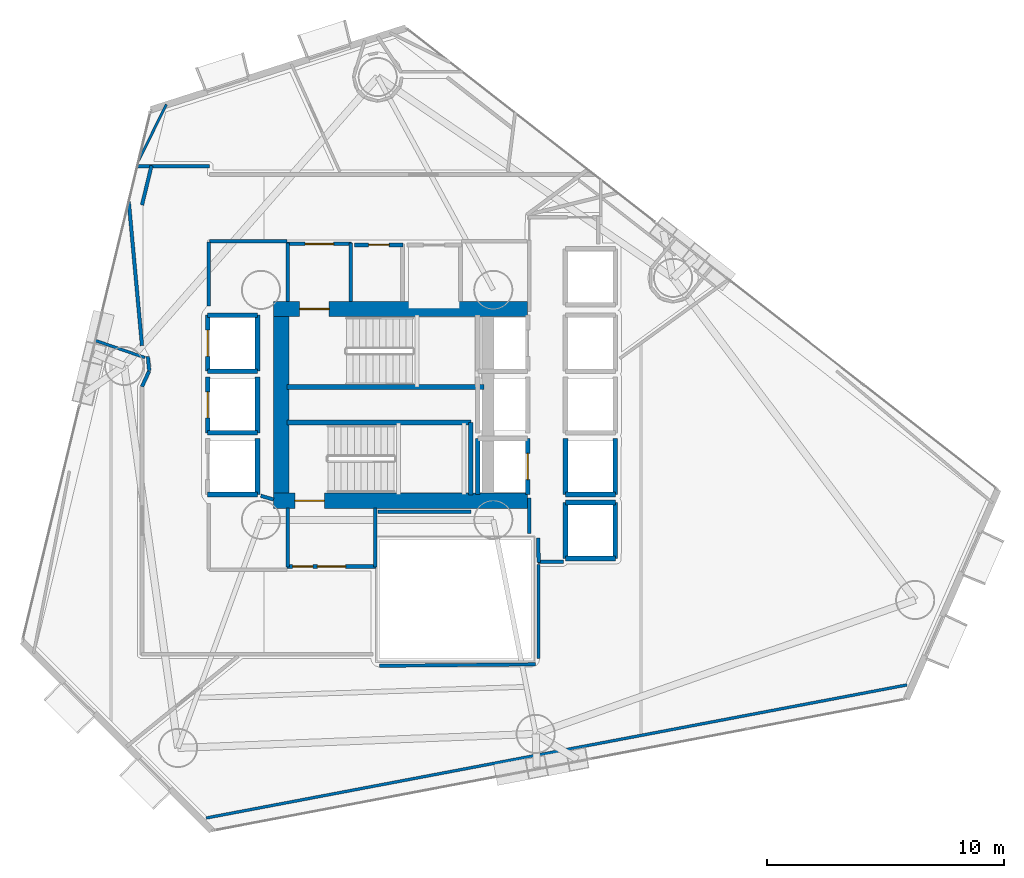
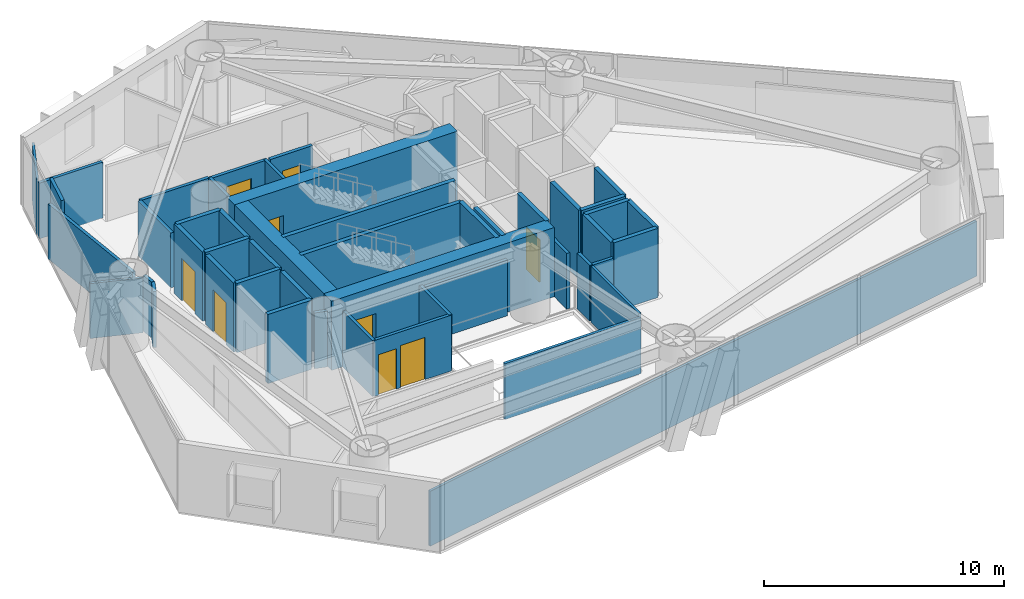
# One storey, part 17 of 23: 48 walls, 9 doors, 9 openings.
"""IFC4 building model written with IfcOpenShell, lengths in metres."""

from ifc_helpers import new_model, si_unit, direction, frame, frame_2d, origin, place, context, subcontext, project, spatial, rectangle, extrude, material, layer, layer_set, type_object, element, fill, save


model = new_model("IFC4")

# Units and contexts
model_context = context("Model", 3, precision=1e-05, world=origin(), true_north=direction((0.0, 1.0)))
body_context = subcontext(model_context, "Body", "Model", "MODEL_VIEW")
ifc_project = project(units=[si_unit("LENGTHUNIT", "METRE"), si_unit("AREAUNIT", "SQUARE_METRE"), si_unit("VOLUMEUNIT", "CUBIC_METRE"), si_unit("PLANEANGLEUNIT", "RADIAN"), si_unit("MASSUNIT", "GRAM", prefix="KILO")], contexts=[model_context])

# Site, building, storey
site_placement = place(None, origin())
site = spatial("IfcSite", under=ifc_project, at=site_placement, CompositionType="ELEMENT")
building_placement = place(site_placement, origin())
building = spatial("IfcBuilding", under=site, at=building_placement, Name="Qianvela Tower", CompositionType="ELEMENT")
storey_placement = place(building_placement, frame((0.0, 0.0, 85.800048828125)))
storey = spatial("IfcBuildingStorey", under=building, at=storey_placement, Name="L21", CompositionType="ELEMENT", Elevation=85.800048828125)

# Wall, opening, door
ifc_material_1 = material(Name="Concrete C60", Category="concrete")
ifc_layer_1 = layer(ifc_material_1, 0.64990234375)
ifc_layer_set_1 = layer_set([ifc_layer_1], Name="Concrete C60")
wall_type_1 = type_object("IfcWallType", Name="WT-CORE-650", PredefinedType="SHEAR", material=ifc_layer_set_1)
wall_1_placement = place(storey_placement, frame((29.1298828125, 32.7451171875, 0.0), z_axis=(0.0, 0.0, 1.0), x_axis=(1.0, 0.0, 0.0)))
wall_1 = element("IfcWall", 1, at=wall_1_placement, inside=storey, type_object=wall_type_1, Name="L21 North Core Shear Wall", PredefinedType="SHEAR", context=body_context, shape_type="SweptSolid", body=[
    extrude(rectangle(XDim=10.72021484375, YDim=0.64990234375, at=frame_2d((5.360107421875, 0.0))), origin(), (0.0, 0.0, 1.0), 3.52001953125),
])
opening_1_placement = place(wall_1_placement, frame((1.094970703125, 0.0, 0.0)))
opening_1 = element("IfcOpeningElement", 2, at=opening_1_placement, cuts=wall_1, Name="Opening D-ST1", PredefinedType="OPENING", context=body_context, shape_type="SweptSolid", body=[
    extrude(rectangle(XDim=1.25, YDim=2.14990234375, at=frame_2d((0.625, 1.074951171875))), frame((0.0, 0.3349609375, 0.0), z_axis=(0.0, -1.0, 0.0), x_axis=(1.0, 0.0, 0.0)), (0.0, 0.0, 1.0), 0.669921875),
])
ifc_material_2 = material(Name="Galvanised Fire Steel Q355B", Category="steel")
door_type_1 = type_object("IfcDoorType", Name="DT-STAIR-FD90", OperationType="NOTDEFINED", PredefinedType="DOOR", material=ifc_material_2)
door_1_placement = place(opening_1_placement, origin())
door_1 = element("IfcDoor", 3, at=door_1_placement, inside=storey, type_object=door_type_1, Name="L21 Stair ST-1 Exit Door", OperationType="SINGLE_SWING_RIGHT", OverallHeight=2.14990234375, OverallWidth=1.25, PredefinedType="DOOR", context=body_context, shape_type="SweptSolid", body=[
    extrude(rectangle(XDim=1.25, YDim=2.14990234375, at=frame_2d((0.625, 1.074951171875))), frame((0.0, 0.02490234375, 0.0), z_axis=(0.0, -1.0, 0.0), x_axis=(1.0, 0.0, 0.0)), (0.0, 0.0, 1.0), 0.050048828125),
])
fill(opening_1, door_1)

wall_2_placement = place(storey_placement, frame((29.1298828125, 24.655029296875, 0.0), z_axis=(0.0, 0.0, 1.0), x_axis=(1.0, 0.0, 0.0)))
wall_2 = element("IfcWall", 4, at=wall_2_placement, inside=storey, type_object=wall_type_1, Name="L21 South Core Shear Wall", PredefinedType="SHEAR", context=body_context, shape_type="SweptSolid", body=[
    extrude(rectangle(XDim=10.72021484375, YDim=0.64990234375, at=frame_2d((5.360107421875, 0.0))), origin(), (0.0, 0.0, 1.0), 3.52001953125),
])
opening_2_placement = place(wall_2_placement, frame((0.89501953125, 0.0, 0.0)))
opening_2 = element("IfcOpeningElement", 5, at=opening_2_placement, cuts=wall_2, Name="Opening D-ST1", PredefinedType="OPENING", context=body_context, shape_type="SweptSolid", body=[
    extrude(rectangle(XDim=1.25, YDim=2.14990234375, at=frame_2d((0.625, 1.074951171875))), frame((0.0, 0.3349609375, 0.0), z_axis=(0.0, -1.0, 0.0), x_axis=(1.0, 0.0, 0.0)), (0.0, 0.0, 1.0), 0.669921875),
])
door_2_placement = place(opening_2_placement, origin())
door_2 = element("IfcDoor", 6, at=door_2_placement, inside=storey, type_object=door_type_1, Name="L21 Stair ST-2 Exit Door", OperationType="SINGLE_SWING_LEFT", OverallHeight=2.14990234375, OverallWidth=1.25, PredefinedType="DOOR", context=body_context, shape_type="SweptSolid", body=[
    extrude(rectangle(XDim=1.25, YDim=2.14990234375, at=frame_2d((0.625, 1.074951171875))), frame((0.0, 0.02490234375, 0.0), z_axis=(0.0, -1.0, 0.0), x_axis=(1.0, 0.0, 0.0)), (0.0, 0.0, 1.0), 0.050048828125),
])
fill(opening_2, door_2)

# Walls
wall_3_placement = place(storey_placement, frame((29.455078125, 24.97998046875, 0.0), z_axis=(0.0, 0.0, 1.0), x_axis=(0.0, 1.0, 0.0)))
element("IfcWall", 7, at=wall_3_placement, inside=storey, type_object=wall_type_1, Name="L21 West Core Shear Wall", PredefinedType="SHEAR", context=body_context, shape_type="SweptSolid", body=[
    extrude(rectangle(XDim=7.43994140625, YDim=0.64990234375, at=frame_2d((3.719970703125, 0.0))), origin(), (0.0, 0.0, 1.0), 3.52001953125),
])
ifc_material_3 = material(Name="Fire-Rated Acoustic Gypsum Board")
ifc_layer_2 = layer(ifc_material_3, 0.14990234375)
ifc_layer_set_2 = layer_set([ifc_layer_2], Name="Fire-Rated Acoustic Gypsum Board")
wall_type_2 = type_object("IfcWallType", Name="WT-CORR-150", PredefinedType="PARTITIONING", material=ifc_layer_set_2)
wall_4_placement = place(storey_placement, frame((29.73095703125, 33.05810546875, 0.0), z_axis=(0.0, 0.0, 1.0), x_axis=(0.0, 1.0, 0.0)))
element("IfcWall", 8, at=wall_4_placement, inside=storey, type_object=wall_type_2, Name="L21 Partition 2", PredefinedType="PARTITIONING", context=body_context, shape_type="SweptSolid", body=[
    extrude(rectangle(XDim=2.4619140625, YDim=0.14990234375, at=frame_2d((1.23095703125, 0.0))), origin(), (0.0, 0.0, 1.0), 2.83984375),
])

# Wall, opening, door
wall_5_placement = place(storey_placement, frame((29.699951171875, 35.489013671875, 0.0), z_axis=(0.0, 0.0, 1.0), x_axis=(1.0, 0.0, 0.0)))
wall_5 = element("IfcWall", 9, at=wall_5_placement, inside=storey, type_object=wall_type_2, Name="L21 Partition 3", PredefinedType="PARTITIONING", context=body_context, shape_type="SweptSolid", body=[
    extrude(rectangle(XDim=2.719970703125, YDim=0.14990234375, at=frame_2d((1.35986328125, 0.0))), origin(), (0.0, 0.0, 1.0), 2.83984375),
])
opening_3_placement = place(wall_5_placement, frame((0.760009765625, 0.0, 0.0)))
opening_3 = element("IfcOpeningElement", 10, at=opening_3_placement, cuts=wall_5, Name="Opening D-LB1", PredefinedType="OPENING", context=body_context, shape_type="SweptSolid", body=[
    extrude(rectangle(XDim=1.199951171875, YDim=2.14990234375, at=frame_2d((0.60009765625, 1.074951171875))), frame((0.0, 0.0849609375, 0.0), z_axis=(0.0, -1.0, 0.0), x_axis=(1.0, 0.0, 0.0)), (0.0, 0.0, 1.0), 0.169921875),
])
ifc_material_4 = material(Name="Glazed Fire-Rated Steel Frame", Category="steel")
door_type_2 = type_object("IfcDoorType", Name="DT-LOBBY-FD90", OperationType="NOTDEFINED", PredefinedType="DOOR", material=ifc_material_4)
door_3_placement = place(opening_3_placement, origin())
door_3 = element("IfcDoor", 11, at=door_3_placement, inside=storey, type_object=door_type_2, Name="L21 Door L21 Firefighting Lobby North to L21 Floor Corridor", OperationType="SINGLE_SWING_LEFT", OverallHeight=2.14990234375, OverallWidth=1.199951171875, PredefinedType="DOOR", context=body_context, shape_type="SweptSolid", body=[
    extrude(rectangle(XDim=1.199951171875, YDim=2.14990234375, at=frame_2d((0.60009765625, 1.074951171875))), frame((0.0, 0.02490234375, 0.0), z_axis=(0.0, -1.0, 0.0), x_axis=(1.0, 0.0, 0.0)), (0.0, 0.0, 1.0), 0.050048828125),
])
fill(opening_3, door_3)

# Wall
wall_6_placement = place(storey_placement, frame((32.388916015625, 35.52001953125, 0.0), z_axis=(0.0, 0.0, 1.0), x_axis=(0.0, -1.0, 0.0)))
element("IfcWall", 12, at=wall_6_placement, inside=storey, type_object=wall_type_2, Name="L21 Partition 4", PredefinedType="PARTITIONING", context=body_context, shape_type="SweptSolid", body=[
    extrude(rectangle(XDim=2.4619140625, YDim=0.14990234375, at=frame_2d((1.23095703125, 0.0))), origin(), (0.0, 0.0, 1.0), 2.83984375),
])

# Wall, openings, doors
wall_7_placement = place(storey_placement, frame((33.449951171875, 21.881103515625, 0.0), z_axis=(0.0, 0.0, 1.0), x_axis=(-1.0, 0.0, 0.0)))
wall_7 = element("IfcWall", 13, at=wall_7_placement, inside=storey, type_object=wall_type_2, Name="L21 Partition 5", PredefinedType="PARTITIONING", context=body_context, shape_type="SweptSolid", body=[
    extrude(rectangle(XDim=3.75, YDim=0.14990234375, at=frame_2d((1.875, 0.0))), origin(), (0.0, 0.0, 1.0), 2.83984375),
])
opening_4_placement = place(wall_7_placement, frame((1.27490234375, 0.0, 0.0)))
opening_4 = element("IfcOpeningElement", 14, at=opening_4_placement, cuts=wall_7, Name="Opening D-LB1", PredefinedType="OPENING", context=body_context, shape_type="SweptSolid", body=[
    extrude(rectangle(XDim=1.199951171875, YDim=2.14990234375, at=frame_2d((0.60009765625, 1.074951171875))), frame((0.0, 0.0849609375, 0.0), z_axis=(0.0, -1.0, 0.0), x_axis=(1.0, 0.0, 0.0)), (0.0, 0.0, 1.0), 0.169921875),
])
opening_5_placement = place(wall_7_placement, frame((2.659912109375, 0.0, 0.0)))
opening_5 = element("IfcOpeningElement", 15, at=opening_5_placement, cuts=wall_7, Name="Opening D-LB2", PredefinedType="OPENING", context=body_context, shape_type="SweptSolid", body=[
    extrude(rectangle(XDim=0.860107421875, YDim=2.050048828125, at=frame_2d((0.43017578125, 1.02490234375))), frame((0.0, 0.0849609375, 0.0), z_axis=(0.0, -1.0, 0.0), x_axis=(1.0, 0.0, 0.0)), (0.0, 0.0, 1.0), 0.169921875),
])
door_4_placement = place(opening_4_placement, origin())
door_4 = element("IfcDoor", 16, at=door_4_placement, inside=storey, type_object=door_type_2, Name="L21 Door L21 Firefighting Lobby South to L21 Floor Corridor", OperationType="SINGLE_SWING_RIGHT", OverallHeight=2.14990234375, OverallWidth=1.199951171875, PredefinedType="DOOR", context=body_context, shape_type="SweptSolid", body=[
    extrude(rectangle(XDim=1.199951171875, YDim=2.14990234375, at=frame_2d((0.60009765625, 1.074951171875))), frame((0.0, 0.02490234375, 0.0), z_axis=(0.0, -1.0, 0.0), x_axis=(1.0, 0.0, 0.0)), (0.0, 0.0, 1.0), 0.050048828125),
])
fill(opening_4, door_4)
ifc_material_5 = material(Name="Insulated Steel Fire Door Q355B", Category="steel")
door_type_3 = type_object("IfcDoorType", Name="DT-LOBBY-FD90-860", OperationType="NOTDEFINED", PredefinedType="DOOR", material=ifc_material_5)
door_5_placement = place(opening_5_placement, origin())
door_5 = element("IfcDoor", 17, at=door_5_placement, inside=storey, type_object=door_type_3, Name="L21 Door L21 Firefighting Lobby South to L21 Floor Corridor", OperationType="SINGLE_SWING_LEFT", OverallHeight=2.050048828125, OverallWidth=0.860107421875, PredefinedType="DOOR", context=body_context, shape_type="SweptSolid", body=[
    extrude(rectangle(XDim=0.860107421875, YDim=2.050048828125, at=frame_2d((0.43017578125, 1.02490234375))), frame((0.0, 0.02490234375, 0.0), z_axis=(0.0, -1.0, 0.0), x_axis=(1.0, 0.0, 0.0)), (0.0, 0.0, 1.0), 0.050048828125),
])
fill(opening_5, door_5)

# Walls
for number, where, z_axis, x_axis, name in (
    (18, (29.73095703125, 21.85009765625, 0.0), (0.0, 0.0, 1.0), (0.0, 1.0, 0.0), "L21 Partition 6"),
    (19, (33.4189453125, 24.342041015625, 0.0), (0.0, 0.0, 1.0), (0.0, -1.0, 0.0), "L21 Partition 8"),
):
    element("IfcWall", number, at=place(storey_placement, frame(where, z_axis=z_axis, x_axis=x_axis)), inside=storey, type_object=wall_type_2, Name=name, PredefinedType="PARTITIONING", context=body_context, shape_type="SweptSolid", body=[
        extrude(rectangle(XDim=2.491943359375, YDim=0.14990234375, at=frame_2d((1.24609375, 0.0))), origin(), (0.0, 0.0, 1.0), 2.83984375),
    ])
wall_8_placement = place(storey_placement, frame((41.360107421875, 22.0810546875, 0.0), z_axis=(0.0, 0.0, 1.0), x_axis=(-1.0, 0.0, 0.0)))
element("IfcWall", 20, at=wall_8_placement, inside=storey, type_object=wall_type_2, Name="L21 Partition 15", PredefinedType="PARTITIONING", context=body_context, shape_type="SweptSolid", body=[
    extrude(rectangle(XDim=1.080078125, YDim=0.14990234375, at=frame_2d((0.5400390625, 0.0))), origin(), (0.0, 0.0, 1.0), 2.83984375),
])
wall_9_placement = place(storey_placement, frame((40.31103515625, 22.05029296875, 0.0), z_axis=(0.0, 0.0, 1.0), x_axis=(-0.011836292006, 0.999929948642, 0.0)))
element("IfcWall", 21, at=wall_9_placement, inside=storey, type_object=wall_type_2, Name="L21 Partition 16", PredefinedType="PARTITIONING", context=body_context, shape_type="SweptSolid", body=[
    extrude(rectangle(XDim=1.03125, YDim=0.14990234375, at=frame_2d((0.515625, 0.0))), origin(), (0.0, 0.0, 1.0), 2.83984375),
])
wall_10_placement = place(storey_placement, frame((39.910888671875, 23.27978515625, 0.0), z_axis=(0.0, 0.0, 1.0), x_axis=(0.009397771291, 0.999955839972, 0.0)))
element("IfcWall", 22, at=wall_10_placement, inside=storey, type_object=wall_type_2, Name="L21 Partition 17", PredefinedType="PARTITIONING", context=body_context, shape_type="SweptSolid", body=[
    extrude(rectangle(XDim=1.480712890625, YDim=0.14990234375, at=frame_2d((0.740234375, 0.0))), origin(), (0.0, 0.0, 1.0), 2.83984375),
])
wall_11_placement = place(storey_placement, frame((29.1298828125, 24.706298828125, 0.0), z_axis=(0.0, 0.0, 1.0), x_axis=(-0.960451214223, 0.278448316742, 0.0)))
element("IfcWall", 23, at=wall_11_placement, inside=storey, type_object=wall_type_2, Name="L21 Partition 31", PredefinedType="PARTITIONING", context=body_context, shape_type="SweptSolid", body=[
    extrude(rectangle(XDim=0.56201171875, YDim=0.14990234375, at=frame_2d((0.281005859375, 0.0))), origin(), (0.0, 0.0, 1.0), 2.83984375),
])
wall_12_placement = place(storey_placement, frame((37.466552734375, 24.180908203125, 0.0), z_axis=(0.0, 0.0, 1.0), x_axis=(-1.0, 0.0, 0.0)))
element("IfcWall", 24, at=wall_12_placement, inside=storey, type_object=wall_type_2, Name="L21 Partition 38", PredefinedType="PARTITIONING", context=body_context, shape_type="SweptSolid", body=[
    extrude(rectangle(XDim=3.9365234375, YDim=0.14990234375, at=frame_2d((1.96826171875, 0.0))), origin(), (0.0, 0.0, 1.0), 2.83984375),
])
wall_13_placement = place(storey_placement, frame((23.5810546875, 31.197265625, 0.0), z_axis=(0.0, 0.0, 1.0), x_axis=(-0.091643428087, 0.995791886936, 0.0)))
element("IfcWall", 25, at=wall_13_placement, inside=storey, type_object=wall_type_2, Name="L21 Partition 39", PredefinedType="PARTITIONING", context=body_context, shape_type="SweptSolid", body=[
    extrude(rectangle(XDim=6.1005859375, YDim=0.14990234375, at=frame_2d((3.05029296875, 0.0))), origin(), (0.0, 0.0, 1.0), 2.7978515625),
])
wall_14_placement = place(storey_placement, frame((23.580078125, 37.1298828125, 0.0), z_axis=(0.0, 0.0, 1.0), x_axis=(0.235175234571, 0.971952987055, 0.0)))
element("IfcWall", 26, at=wall_14_placement, inside=storey, type_object=wall_type_2, Name="L21 Partition 40", PredefinedType="PARTITIONING", context=body_context, shape_type="SweptSolid", body=[
    extrude(rectangle(XDim=1.7109375, YDim=0.14990234375, at=frame_2d((0.85546875, 0.0))), origin(), (0.0, 0.0, 1.0), 2.83984375),
])
wall_15_placement = place(storey_placement, frame((23.364013671875, 38.76904296875, 0.0), z_axis=(0.0, 0.0, 1.0), x_axis=(1.0, 0.0, 0.0)))
element("IfcWall", 27, at=wall_15_placement, inside=storey, type_object=wall_type_2, Name="L21 Partition 41", PredefinedType="PARTITIONING", context=body_context, shape_type="SweptSolid", body=[
    extrude(rectangle(XDim=3.055908203125, YDim=0.14990234375, at=frame_2d((1.52783203125, 0.0))), origin(), (0.0, 0.0, 1.0), 2.83984375),
])
wall_16_placement = place(storey_placement, frame((29.699951171875, 35.611083984375, 0.0), z_axis=(0.0, 0.0, 1.0), x_axis=(-1.0, 0.0, 0.0)))
element("IfcWall", 28, at=wall_16_placement, inside=storey, type_object=wall_type_2, Name="L21 Partition 45 seg 4", PredefinedType="PARTITIONING", context=body_context, shape_type="SweptSolid", body=[
    extrude(rectangle(XDim=3.280029296875, YDim=0.14990234375, at=frame_2d((1.64013671875, 0.0))), origin(), (0.0, 0.0, 1.0), 2.7978515625),
])
wall_17_placement = place(storey_placement, frame((26.388916015625, 35.580078125, 0.0), z_axis=(0.0, 0.0, 1.0), x_axis=(0.0, -1.0, 0.0)))
element("IfcWall", 29, at=wall_17_placement, inside=storey, type_object=wall_type_2, Name="L21 Partition 46", PredefinedType="PARTITIONING", context=body_context, shape_type="SweptSolid", body=[
    extrude(rectangle(XDim=2.71044921875, YDim=0.14990234375, at=frame_2d((1.355224609375, 0.0))), origin(), (0.0, 0.0, 1.0), 2.7978515625),
])
wall_18_placement = place(storey_placement, frame((23.578125, 29.4697265625, 0.0), z_axis=(0.0, 0.0, 1.0), x_axis=(0.421827918194, 0.906675910914, 0.0)))
element("IfcWall", 30, at=wall_18_placement, inside=storey, type_object=wall_type_2, Name="L21 Partition 52", PredefinedType="PARTITIONING", context=body_context, shape_type="SweptSolid", body=[
    extrude(rectangle(XDim=0.720458984375, YDim=0.14990234375, at=frame_2d((0.3603515625, 0.0))), origin(), (0.0, 0.0, 1.0), 2.83984375),
])
wall_19_placement = place(storey_placement, frame((23.884765625, 30.13916015625, 0.0), z_axis=(0.0, 0.0, 1.0), x_axis=(-0.0981888168, 0.995167803064, 0.0)))
element("IfcWall", 31, at=wall_19_placement, inside=storey, type_object=wall_type_2, Name="L21 Partition 53", PredefinedType="PARTITIONING", context=body_context, shape_type="SweptSolid", body=[
    extrude(rectangle(XDim=0.606689453125, YDim=0.14990234375, at=frame_2d((0.30322265625, 0.0))), origin(), (0.0, 0.0, 1.0), 2.83984375),
])
ifc_material_6 = material(Name="Lightweight Gypsum Room Partition")
ifc_layer_3 = layer(ifc_material_6, 0.10498046875)
ifc_layer_set_3 = layer_set([ifc_layer_3], Name="Lightweight Gypsum Room Partition")
wall_type_3 = type_object("IfcWallType", Name="WT-PART-105", PredefinedType="PARTITIONING", material=ifc_layer_set_3)
wall_20_placement = place(storey_placement, frame((23.44189453125, 39.008056640625, 0.0), z_axis=(0.0, 0.0, 1.0), x_axis=(0.441507651219, 0.897257484736, 0.0)))
element("IfcWall", 32, at=wall_20_placement, inside=storey, type_object=wall_type_3, Name="L21 Partition 115", PredefinedType="PARTITIONING", context=body_context, shape_type="SweptSolid", body=[
    extrude(rectangle(XDim=2.639892578125, YDim=0.10498046875, at=frame_2d((1.31982421875, 0.0))), origin(), (0.0, 0.0, 1.0), 2.83984375),
])
ifc_material_7 = material(Name="Insulated Gypsum Stud Partition")
ifc_layer_4 = layer(ifc_material_7, 0.1201171875)
ifc_layer_set_4 = layer_set([ifc_layer_4], Name="Insulated Gypsum Stud Partition")
wall_type_4 = type_object("IfcWallType", Name="WT-PART-120", PredefinedType="PARTITIONING", material=ifc_layer_set_4)
wall_21_placement = place(storey_placement, frame((21.586669921875, 31.423583984375, 0.0), z_axis=(0.0, 0.0, 1.0), x_axis=(0.945103935005, -0.326769876271, 0.0)))
element("IfcWall", 33, at=wall_21_placement, inside=storey, type_object=wall_type_4, Name="L21 Partition 54", PredefinedType="PARTITIONING", context=body_context, shape_type="SweptSolid", body=[
    extrude(rectangle(XDim=2.239990234375, YDim=0.1201171875, at=frame_2d((1.1201171875, 0.0))), origin(), (0.0, 0.0, 1.0), 2.7978515625),
])
wall_22_placement = place(storey_placement, frame((40.31103515625, 18.0, 0.0), z_axis=(0.0, 0.0, 1.0), x_axis=(0.0, 1.0, 0.0)))
element("IfcWall", 34, at=wall_22_placement, inside=storey, type_object=wall_type_4, Name="L21 Partition 66 seg 1", PredefinedType="PARTITIONING", context=body_context, shape_type="SweptSolid", body=[
    extrude(rectangle(XDim=3.969970703125, YDim=0.1201171875, at=frame_2d((1.98486328125, 0.0))), origin(), (0.0, 0.0, 1.0), 2.83984375),
])
wall_23_placement = place(storey_placement, frame((55.850830078125, 16.88427734375, 0.0), z_axis=(0.0, 0.0, 1.0), x_axis=(-0.982440605196, -0.18657560736, 0.0)))
element("IfcWall", 35, at=wall_23_placement, inside=storey, type_object=wall_type_4, Name="L21 Partition 75", PredefinedType="PARTITIONING", context=body_context, shape_type="SweptSolid", body=[
    extrude(rectangle(XDim=30.09228515625, YDim=0.1201171875, at=frame_2d((15.046142578125, 0.0))), origin(), (0.0, 0.0, 1.0), 2.7978515625),
])

# Wall, opening, door
ifc_material_8 = material(Name="Sanitary Service Chase Partition")
ifc_layer_5 = layer(ifc_material_8, 0.1650390625)
ifc_layer_set_5 = layer_set([ifc_layer_5], Name="Sanitary Service Chase Partition")
wall_type_5 = type_object("IfcWallType", Name="WT-PLUMB-165", PredefinedType="PLUMBINGWALL", material=ifc_layer_set_5)
wall_24_placement = place(storey_placement, frame((32.550048828125, 35.448974609375, 0.0), z_axis=(0.0, 0.0, 1.0), x_axis=(1.0, 0.0, 0.0)))
wall_24 = element("IfcWall", 36, at=wall_24_placement, inside=storey, type_object=wall_type_5, Name="L21 Partition 20", PredefinedType="PLUMBINGWALL", context=body_context, shape_type="SweptSolid", body=[
    extrude(rectangle(XDim=2.050048828125, YDim=0.1650390625, at=frame_2d((1.02490234375, 0.0))), origin(), (0.0, 0.0, 1.0), 2.83984375),
])
opening_6_placement = place(wall_24_placement, frame((0.594970703125, 0.0, 0.0)))
opening_6 = element("IfcOpeningElement", 37, at=opening_6_placement, cuts=wall_24, Name="Opening D-WC1", PredefinedType="OPENING", context=body_context, shape_type="SweptSolid", body=[
    extrude(rectangle(XDim=0.860107421875, YDim=2.050048828125, at=frame_2d((0.43017578125, 1.02490234375))), frame((0.0, 0.092529296875, 0.0), z_axis=(0.0, -1.0, 0.0), x_axis=(1.0, 0.0, 0.0)), (0.0, 0.0, 1.0), 0.18505859375),
])
ifc_material_9 = material(Name="Moisture-Sealed Acoustic Timber Door", Category="wood")
door_type_4 = type_object("IfcDoorType", Name="DT-WC-860", OperationType="NOTDEFINED", PredefinedType="DOOR", material=ifc_material_9)
door_6_placement = place(opening_6_placement, origin())
door_6 = element("IfcDoor", 38, at=door_6_placement, inside=storey, type_object=door_type_4, Name="L21 Door L21 Accessible WC to L21 Floor Corridor", OperationType="SINGLE_SWING_LEFT", OverallHeight=2.050048828125, OverallWidth=0.860107421875, PredefinedType="DOOR", context=body_context, shape_type="SweptSolid", body=[
    extrude(rectangle(XDim=0.860107421875, YDim=2.050048828125, at=frame_2d((0.43017578125, 1.02490234375))), frame((0.0, 0.02490234375, 0.0), z_axis=(0.0, -1.0, 0.0), x_axis=(1.0, 0.0, 0.0)), (0.0, 0.0, 1.0), 0.050048828125),
])
fill(opening_6, door_6)

# Walls
ifc_material_10 = material(Name="Acoustic Double Gypsum Stud Partition")
ifc_layer_6 = layer(ifc_material_10, 0.139892578125)
ifc_layer_set_6 = layer_set([ifc_layer_6], Name="Acoustic Double Gypsum Stud Partition")
wall_type_6 = type_object("IfcWallType", Name="WT-ROOM-140", PredefinedType="PARTITIONING", material=ifc_layer_set_6)
wall_25_placement = place(storey_placement, frame((33.600341796875, 17.68896484375, 0.0), z_axis=(0.0, 0.0, 1.0), x_axis=(0.999953079699, 0.009687022263, 0.0)))
element("IfcWall", 39, at=wall_25_placement, inside=storey, type_object=wall_type_6, Name="L21 Partition 65", PredefinedType="PARTITIONING", context=body_context, shape_type="SweptSolid", body=[
    extrude(rectangle(XDim=6.577880859375, YDim=0.139892578125, at=frame_2d((3.2890625, 0.0))), origin(), (0.0, 0.0, 1.0), 2.83984375),
])
ifc_material_11 = material(Name="Concrete C50", Category="concrete")
ifc_layer_7 = layer(ifc_material_11, 0.199951171875)
ifc_layer_set_7 = layer_set([ifc_layer_7], Name="Concrete C50")
wall_type_7 = type_object("IfcWallType", Name="WT-SHAFT-200", PredefinedType="SOLIDWALL", material=ifc_layer_set_7)
wall_26_placement = place(storey_placement, frame((29.699951171875, 29.449951171875, 0.0), z_axis=(0.0, 0.0, 1.0), x_axis=(1.0, 0.0, 0.0)))
element("IfcWall", 40, at=wall_26_placement, inside=storey, type_object=wall_type_7, Name="L21 Stair ST-1 South Wall", PredefinedType="SOLIDWALL", context=body_context, shape_type="SweptSolid", body=[
    extrude(rectangle(XDim=8.300048828125, YDim=0.199951171875, at=frame_2d((4.14990234375, 0.0))), origin(), (0.0, 0.0, 1.0), 3.52001953125),
])
wall_27_placement = place(storey_placement, frame((29.699951171875, 27.9599609375, 0.0), z_axis=(0.0, 0.0, 1.0), x_axis=(1.0, 0.0, 0.0)))
element("IfcWall", 41, at=wall_27_placement, inside=storey, type_object=wall_type_7, Name="L21 Stair ST-2 North Wall", PredefinedType="SOLIDWALL", context=body_context, shape_type="SweptSolid", body=[
    extrude(rectangle(XDim=7.75, YDim=0.199951171875, at=frame_2d((3.875, 0.0))), origin(), (0.0, 0.0, 1.0), 3.52001953125),
])
wall_28_placement = place(storey_placement, frame((37.449951171875, 24.89990234375, 0.0), z_axis=(0.0, 0.0, 1.0), x_axis=(0.0, 1.0, 0.0)))
element("IfcWall", 42, at=wall_28_placement, inside=storey, type_object=wall_type_7, Name="L21 Stair ST-2 East Wall", PredefinedType="SOLIDWALL", context=body_context, shape_type="SweptSolid", body=[
    extrude(rectangle(XDim=3.06005859375, YDim=0.199951171875, at=frame_2d((1.530029296875, 0.0))), origin(), (0.0, 0.0, 1.0), 3.52001953125),
])

# Wall, opening, door
wall_29_placement = place(storey_placement, frame((39.85009765625, 24.919921875, 0.0), z_axis=(0.0, 0.0, 1.0), x_axis=(0.0, 1.0, 0.0)))
wall_29 = element("IfcWall", 43, at=wall_29_placement, inside=storey, type_object=wall_type_7, Name="L21 Lift FL-2 E Shaft Wall", PredefinedType="SOLIDWALL", context=body_context, shape_type="SweptSolid", body=[
    extrude(rectangle(XDim=2.360107421875, YDim=0.199951171875, at=frame_2d((1.18017578125, 0.0))), origin(), (0.0, 0.0, 1.0), 3.52001953125),
])
opening_7_placement = place(wall_29_placement, frame((0.6298828125, 0.0, 0.0)))
opening_7 = element("IfcOpeningElement", 44, at=opening_7_placement, cuts=wall_29, Name="Opening LD-01", PredefinedType="OPENING", context=body_context, shape_type="SweptSolid", body=[
    extrude(rectangle(XDim=1.10009765625, YDim=2.14990234375, at=frame_2d((0.550048828125, 1.074951171875))), frame((0.0, 0.10986328125, 0.0), z_axis=(0.0, -1.0, 0.0), x_axis=(1.0, 0.0, 0.0)), (0.0, 0.0, 1.0), 0.219970703125),
])
ifc_material_12 = material(Name="Brushed Stainless Steel Lift Landing Door", Category="steel")
door_type_5 = type_object("IfcDoorType", Name="DT-LIFT-SLIDE-1100", OperationType="SLIDING_TO_LEFT", PredefinedType="DOOR", material=ifc_material_12)
door_7_placement = place(opening_7_placement, origin())
door_7 = element("IfcDoor", 45, at=door_7_placement, inside=storey, type_object=door_type_5, Name="L21 Lift FL-2 Sliding Landing Door", OperationType="SLIDING_TO_LEFT", OverallHeight=2.14990234375, OverallWidth=1.10009765625, PredefinedType="DOOR", context=body_context, shape_type="SweptSolid", body=[
    extrude(rectangle(XDim=1.10009765625, YDim=2.14990234375, at=frame_2d((0.550048828125, 1.074951171875))), frame((0.0, 0.02490234375, 0.0), z_axis=(0.0, -1.0, 0.0), x_axis=(1.0, 0.0, 0.0)), (0.0, 0.0, 1.0), 0.050048828125),
])
fill(opening_7, door_7)

# Walls
wall_30_placement = place(storey_placement, frame((37.75, 24.919921875, 0.0), z_axis=(0.0, 0.0, 1.0), x_axis=(0.0, 1.0, 0.0)))
element("IfcWall", 46, at=wall_30_placement, inside=storey, type_object=wall_type_7, Name="L21 Lift FL-2 W Shaft Wall", PredefinedType="SOLIDWALL", context=body_context, shape_type="SweptSolid", body=[
    extrude(rectangle(XDim=2.360107421875, YDim=0.199951171875, at=frame_2d((1.18017578125, 0.0))), origin(), (0.0, 0.0, 1.0), 3.52001953125),
])
wall_31_placement = place(storey_placement, frame((28.449951171875, 30.1201171875, 0.0), z_axis=(0.0, 0.0, 1.0), x_axis=(0.0, 1.0, 0.0)))
element("IfcWall", 47, at=wall_31_placement, inside=storey, type_object=wall_type_7, Name="L21 Lift PL-L1 E Shaft Wall", PredefinedType="SOLIDWALL", context=body_context, shape_type="SweptSolid", body=[
    extrude(rectangle(XDim=2.35986328125, YDim=0.199951171875, at=frame_2d((1.179931640625, 0.0))), origin(), (0.0, 0.0, 1.0), 3.52001953125),
])

# Wall, opening, door
wall_32_placement = place(storey_placement, frame((26.35009765625, 30.1201171875, 0.0), z_axis=(0.0, 0.0, 1.0), x_axis=(0.0, 1.0, 0.0)))
wall_32 = element("IfcWall", 48, at=wall_32_placement, inside=storey, type_object=wall_type_7, Name="L21 Lift PL-L1 W Shaft Wall", PredefinedType="SOLIDWALL", context=body_context, shape_type="SweptSolid", body=[
    extrude(rectangle(XDim=2.35986328125, YDim=0.199951171875, at=frame_2d((1.179931640625, 0.0))), origin(), (0.0, 0.0, 1.0), 3.52001953125),
])
opening_8_placement = place(wall_32_placement, frame((0.6298828125, 0.0, 0.0)))
opening_8 = element("IfcOpeningElement", 49, at=opening_8_placement, cuts=wall_32, Name="Opening LD-01", PredefinedType="OPENING", context=body_context, shape_type="SweptSolid", body=[
    extrude(rectangle(XDim=1.10009765625, YDim=2.14990234375, at=frame_2d((0.550048828125, 1.074951171875))), frame((0.0, 0.10986328125, 0.0), z_axis=(0.0, -1.0, 0.0), x_axis=(1.0, 0.0, 0.0)), (0.0, 0.0, 1.0), 0.219970703125),
])
door_8_placement = place(opening_8_placement, origin())
door_8 = element("IfcDoor", 50, at=door_8_placement, inside=storey, type_object=door_type_5, Name="L21 Lift PL-L1 Sliding Landing Door", OperationType="SLIDING_TO_LEFT", OverallHeight=2.14990234375, OverallWidth=1.10009765625, PredefinedType="DOOR", context=body_context, shape_type="SweptSolid", body=[
    extrude(rectangle(XDim=1.10009765625, YDim=2.14990234375, at=frame_2d((0.550048828125, 1.074951171875))), frame((0.0, 0.02490234375, 0.0), z_axis=(0.0, -1.0, 0.0), x_axis=(1.0, 0.0, 0.0)), (0.0, 0.0, 1.0), 0.050048828125),
])
fill(opening_8, door_8)

# Walls
for number, where, z_axis, x_axis, name in (
    (51, (26.35009765625, 32.47998046875, 0.0), (0.0, 0.0, 1.0), (1.0, 0.0, 0.0), "L21 Lift PL-L1 N Shaft Wall"),
    (52, (26.35009765625, 30.1201171875, 0.0), (0.0, 0.0, 1.0), (1.0, 0.0, 0.0), "L21 Lift PL-L1 S Shaft Wall"),
):
    element("IfcWall", number, at=place(storey_placement, frame(where, z_axis=z_axis, x_axis=x_axis)), inside=storey, type_object=wall_type_7, Name=name, PredefinedType="SOLIDWALL", context=body_context, shape_type="SweptSolid", body=[
        extrude(rectangle(XDim=2.099853515625, YDim=0.199951171875, at=frame_2d((1.0498046875, 0.0))), origin(), (0.0, 0.0, 1.0), 3.52001953125),
    ])
wall_33_placement = place(storey_placement, frame((28.449951171875, 27.52001953125, 0.0), z_axis=(0.0, 0.0, 1.0), x_axis=(0.0, 1.0, 0.0)))
element("IfcWall", 53, at=wall_33_placement, inside=storey, type_object=wall_type_7, Name="L21 Lift PL-L2 E Shaft Wall", PredefinedType="SOLIDWALL", context=body_context, shape_type="SweptSolid", body=[
    extrude(rectangle(XDim=2.35986328125, YDim=0.199951171875, at=frame_2d((1.179931640625, 0.0))), origin(), (0.0, 0.0, 1.0), 3.52001953125),
])

# Wall, opening, door
wall_34_placement = place(storey_placement, frame((26.35009765625, 27.52001953125, 0.0), z_axis=(0.0, 0.0, 1.0), x_axis=(0.0, 1.0, 0.0)))
wall_34 = element("IfcWall", 54, at=wall_34_placement, inside=storey, type_object=wall_type_7, Name="L21 Lift PL-L2 W Shaft Wall", PredefinedType="SOLIDWALL", context=body_context, shape_type="SweptSolid", body=[
    extrude(rectangle(XDim=2.35986328125, YDim=0.199951171875, at=frame_2d((1.179931640625, 0.0))), origin(), (0.0, 0.0, 1.0), 3.52001953125),
])
opening_9_placement = place(wall_34_placement, frame((0.6298828125, 0.0, 0.0)))
opening_9 = element("IfcOpeningElement", 55, at=opening_9_placement, cuts=wall_34, Name="Opening LD-01", PredefinedType="OPENING", context=body_context, shape_type="SweptSolid", body=[
    extrude(rectangle(XDim=1.10009765625, YDim=2.14990234375, at=frame_2d((0.550048828125, 1.074951171875))), frame((0.0, 0.10986328125, 0.0), z_axis=(0.0, -1.0, 0.0), x_axis=(1.0, 0.0, 0.0)), (0.0, 0.0, 1.0), 0.219970703125),
])
door_9_placement = place(opening_9_placement, origin())
door_9 = element("IfcDoor", 56, at=door_9_placement, inside=storey, type_object=door_type_5, Name="L21 Lift PL-L2 Sliding Landing Door", OperationType="SLIDING_TO_LEFT", OverallHeight=2.14990234375, OverallWidth=1.10009765625, PredefinedType="DOOR", context=body_context, shape_type="SweptSolid", body=[
    extrude(rectangle(XDim=1.10009765625, YDim=2.14990234375, at=frame_2d((0.550048828125, 1.074951171875))), frame((0.0, 0.02490234375, 0.0), z_axis=(0.0, -1.0, 0.0), x_axis=(1.0, 0.0, 0.0)), (0.0, 0.0, 1.0), 0.050048828125),
])
fill(opening_9, door_9)

# Walls
wall_35_placement = place(storey_placement, frame((26.35009765625, 27.52001953125, 0.0), z_axis=(0.0, 0.0, 1.0), x_axis=(1.0, 0.0, 0.0)))
element("IfcWall", 57, at=wall_35_placement, inside=storey, type_object=wall_type_7, Name="L21 Lift PL-L2 S Shaft Wall", PredefinedType="SOLIDWALL", context=body_context, shape_type="SweptSolid", body=[
    extrude(rectangle(XDim=2.099853515625, YDim=0.199951171875, at=frame_2d((1.0498046875, 0.0))), origin(), (0.0, 0.0, 1.0), 3.52001953125),
])
wall_36_placement = place(storey_placement, frame((28.449951171875, 24.919921875, 0.0), z_axis=(0.0, 0.0, 1.0), x_axis=(0.0, 1.0, 0.0)))
element("IfcWall", 58, at=wall_36_placement, inside=storey, type_object=wall_type_7, Name="L21 Lift PL-L3 E Shaft Wall", PredefinedType="SOLIDWALL", context=body_context, shape_type="SweptSolid", body=[
    extrude(rectangle(XDim=2.360107421875, YDim=0.199951171875, at=frame_2d((1.18017578125, 0.0))), origin(), (0.0, 0.0, 1.0), 3.52001953125),
])
wall_37_placement = place(storey_placement, frame((26.35009765625, 24.919921875, 0.0), z_axis=(0.0, 0.0, 1.0), x_axis=(1.0, 0.0, 0.0)))
element("IfcWall", 59, at=wall_37_placement, inside=storey, type_object=wall_type_7, Name="L21 Lift PL-L3 S Shaft Wall", PredefinedType="SOLIDWALL", context=body_context, shape_type="SweptSolid", body=[
    extrude(rectangle(XDim=2.099853515625, YDim=0.199951171875, at=frame_2d((1.0498046875, 0.0))), origin(), (0.0, 0.0, 1.0), 3.52001953125),
])
for number, where, z_axis, x_axis, name in (
    (60, (43.550048828125, 24.919921875, 0.0), (0.0, 0.0, 1.0), (0.0, 1.0, 0.0), "L21 Lift PL-M3 E Shaft Wall"),
    (61, (41.449951171875, 24.919921875, 0.0), (0.0, 0.0, 1.0), (0.0, 1.0, 0.0), "L21 Lift PL-M3 W Shaft Wall"),
):
    element("IfcWall", number, at=place(storey_placement, frame(where, z_axis=z_axis, x_axis=x_axis)), inside=storey, type_object=wall_type_7, Name=name, PredefinedType="SOLIDWALL", context=body_context, shape_type="SweptSolid", body=[
        extrude(rectangle(XDim=2.360107421875, YDim=0.199951171875, at=frame_2d((1.18017578125, 0.0))), origin(), (0.0, 0.0, 1.0), 3.52001953125),
    ])
wall_38_placement = place(storey_placement, frame((41.449951171875, 24.919921875, 0.0), z_axis=(0.0, 0.0, 1.0), x_axis=(1.0, 0.0, 0.0)))
element("IfcWall", 62, at=wall_38_placement, inside=storey, type_object=wall_type_7, Name="L21 Lift PL-M3 S Shaft Wall", PredefinedType="SOLIDWALL", context=body_context, shape_type="SweptSolid", body=[
    extrude(rectangle(XDim=2.10009765625, YDim=0.199951171875, at=frame_2d((1.050048828125, 0.0))), origin(), (0.0, 0.0, 1.0), 3.52001953125),
])
for number, where, z_axis, x_axis, name in (
    (63, (43.550048828125, 22.219970703125, 0.0), (0.0, 0.0, 1.0), (0.0, 1.0, 0.0), "L21 Lift PL-H2 E Shaft Wall"),
    (64, (41.449951171875, 22.219970703125, 0.0), (0.0, 0.0, 1.0), (0.0, 1.0, 0.0), "L21 Lift PL-H2 W Shaft Wall"),
):
    element("IfcWall", number, at=place(storey_placement, frame(where, z_axis=z_axis, x_axis=x_axis)), inside=storey, type_object=wall_type_7, Name=name, PredefinedType="SOLIDWALL", context=body_context, shape_type="SweptSolid", body=[
        extrude(rectangle(XDim=2.360107421875, YDim=0.199951171875, at=frame_2d((1.18017578125, 0.0))), origin(), (0.0, 0.0, 1.0), 3.52001953125),
    ])
for number, where, z_axis, x_axis, name in (
    (65, (41.449951171875, 24.580078125, 0.0), (0.0, 0.0, 1.0), (1.0, 0.0, 0.0), "L21 Lift PL-H2 N Shaft Wall"),
    (66, (41.449951171875, 22.219970703125, 0.0), (0.0, 0.0, 1.0), (1.0, 0.0, 0.0), "L21 Lift PL-H2 S Shaft Wall"),
):
    element("IfcWall", number, at=place(storey_placement, frame(where, z_axis=z_axis, x_axis=x_axis)), inside=storey, type_object=wall_type_7, Name=name, PredefinedType="SOLIDWALL", context=body_context, shape_type="SweptSolid", body=[
        extrude(rectangle(XDim=2.10009765625, YDim=0.199951171875, at=frame_2d((1.050048828125, 0.0))), origin(), (0.0, 0.0, 1.0), 3.52001953125),
    ])

save(model, "model.ifc")
